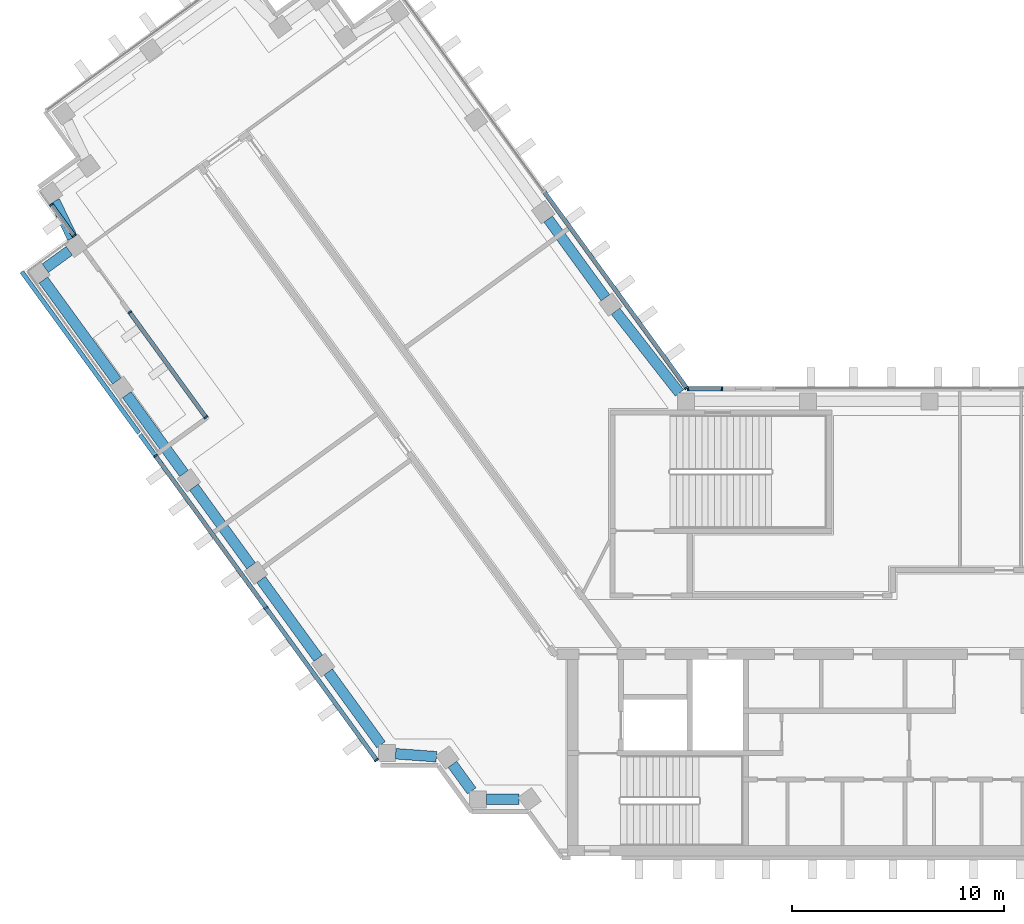
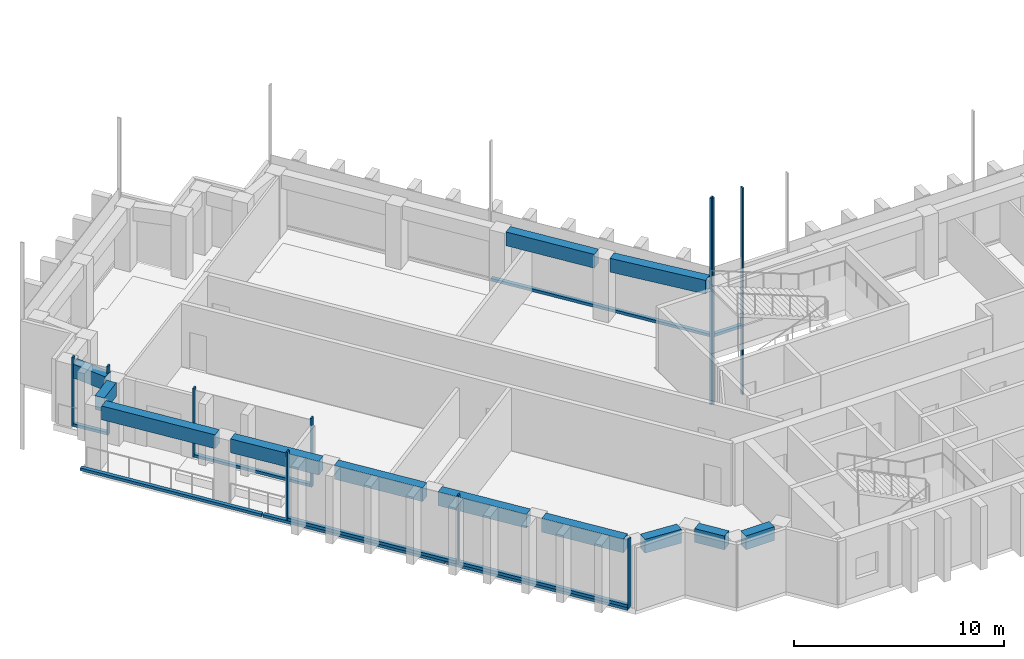
"""IFC4 building model written with IfcOpenShell, lengths in metres."""

from ifc_helpers import new_model, si_unit, direction, frame, origin, origin_2d, place, context, subcontext, project, spatial, rectangle, extrude, material, material_profile, profile_set, type_object, element, aggregate, save


model = new_model("IFC4")

# Units and contexts
model_context = context("Model", 3, precision=1e-05, world=origin(), true_north=direction((0.0, 1.0)))
body_context = subcontext(model_context, "Body", "Model", "MODEL_VIEW")
ifc_project = project(units=[si_unit("LENGTHUNIT", "METRE"), si_unit("AREAUNIT", "SQUARE_METRE"), si_unit("VOLUMEUNIT", "CUBIC_METRE"), si_unit("PLANEANGLEUNIT", "RADIAN"), si_unit("MASSUNIT", "GRAM", prefix="KILO")], contexts=[model_context])

# Site, building, storey
site_placement = place(None, origin())
site = spatial("IfcSite", under=ifc_project, at=site_placement, CompositionType="ELEMENT")
building_placement = place(site_placement, origin())
building = spatial("IfcBuilding", under=site, at=building_placement, Name="Quipu Civic Tower", CompositionType="ELEMENT")
storey_1_placement = place(building_placement, frame((0.0, 0.0, 148.0)))
storey_1 = spatial("IfcBuildingStorey", under=building, at=storey_1_placement, Name="L34", CompositionType="ELEMENT", Elevation=148.0)

# Curtain wall, members
ifc_material_1 = material(Name="Insulated glass unit", Category="glass")
curtain_wall_type = type_object("IfcCurtainWallType", Name="Office curtain wall CW1", PredefinedType="NOTDEFINED", material=ifc_material_1)
curtain_wall_1_placement = place(storey_1_placement, origin())
curtain_wall_1 = element("IfcCurtainWall", 1, at=curtain_wall_1_placement, inside=storey_1, type_object=curtain_wall_type, Name="Office curtain wall CW1 L34 run 2", PredefinedType="NOTDEFINED")
ifc_material_2 = material(Name="Anodised aluminium", Category="aluminium")
ifc_material_profile_1 = material_profile(ifc_material_2, rectangle(XDim=0.199951171875, YDim=0.080078125, at=origin_2d()), Name="RECT 200x80")
ifc_profile_set_1 = profile_set([ifc_material_profile_1], Name="Anodised aluminium")
member_type_1 = type_object("IfcMemberType", Name="Mullion CW1", PredefinedType="MULLION", material=ifc_profile_set_1)
member_1_placement = place(storey_1_placement, frame((-44.3994140625, 19.802490234375, 0.080078125), z_axis=(0.0, 0.0, 1.0), x_axis=(0.809033717749, 0.587762233854, 0.0)))
member_1 = element("IfcMember", 2, at=member_1_placement, type_object=member_type_1, Name="CW1 mullion 1", PredefinedType="MULLION", context=body_context, shape_type="SweptSolid", body=[
    extrude(rectangle(XDim=0.199951171875, YDim=0.080078125, at=origin_2d()), origin(), (0.0, 0.0, 1.0), 4.0),
])
member_2_placement = place(storey_1_placement, frame((-43.328125, 18.327880859375, 0.080078125), z_axis=(0.0, 0.0, 1.0), x_axis=(0.809033717749, 0.587762233854, 0.0)))
member_2 = element("IfcMember", 3, at=member_2_placement, type_object=member_type_1, Name="CW1 mullion 2", PredefinedType="MULLION", context=body_context, shape_type="SweptSolid", body=[
    extrude(rectangle(XDim=0.199951171875, YDim=0.080078125, at=origin_2d()), origin(), (0.0, 0.0, 1.0), 4.0),
])

curtain_wall_2_placement = place(storey_1_placement, origin())
curtain_wall_2 = element("IfcCurtainWall", 4, at=curtain_wall_2_placement, inside=storey_1, type_object=curtain_wall_type, Name="Office curtain wall CW1 L34 run 5", PredefinedType="NOTDEFINED")
member_3_placement = place(storey_1_placement, frame((-40.695556640625, 14.704345703125, 0.080078125), z_axis=(0.0, 0.0, 1.0), x_axis=(0.809013564951, 0.587789972461, 0.0)))
member_3 = element("IfcMember", 5, at=member_3_placement, type_object=member_type_1, Name="CW1 mullion 1", PredefinedType="MULLION", context=body_context, shape_type="SweptSolid", body=[
    extrude(rectangle(XDim=0.199951171875, YDim=0.080078125, at=origin_2d()), origin(), (0.0, 0.0, 1.0), 4.0),
])
member_4_placement = place(storey_1_placement, frame((-37.097900390625, 9.752685546875, 0.080078125), z_axis=(0.0, 0.0, 1.0), x_axis=(0.809013564951, 0.587789972461, 0.0)))
member_4 = element("IfcMember", 6, at=member_4_placement, type_object=member_type_1, Name="CW1 mullion 2", PredefinedType="MULLION", context=body_context, shape_type="SweptSolid", body=[
    extrude(rectangle(XDim=0.199951171875, YDim=0.080078125, at=origin_2d()), origin(), (0.0, 0.0, 1.0), 4.0),
])

curtain_wall_3_placement = place(storey_1_placement, origin())
curtain_wall_3 = element("IfcCurtainWall", 7, at=curtain_wall_3_placement, inside=storey_1, type_object=curtain_wall_type, Name="Office curtain wall CW1 L34 run 7", PredefinedType="NOTDEFINED")
member_5_placement = place(storey_1_placement, frame((-39.47802734375, 7.924560546875, 0.080078125), z_axis=(0.0, 0.0, 1.0), x_axis=(0.809015947916, 0.587786692617, 0.0)))
member_5 = element("IfcMember", 8, at=member_5_placement, type_object=member_type_1, Name="CW1 mullion 1", PredefinedType="MULLION", context=body_context, shape_type="SweptSolid", body=[
    extrude(rectangle(XDim=0.199951171875, YDim=0.080078125, at=origin_2d()), origin(), (0.0, 0.0, 1.0), 4.0),
])
member_6_placement = place(storey_1_placement, frame((-34.253662109375, 0.734130859375, 0.080078125), z_axis=(0.0, 0.0, 1.0), x_axis=(0.809015947916, 0.587786692617, 0.0)))
member_6 = element("IfcMember", 9, at=member_6_placement, type_object=member_type_1, Name="CW1 mullion 2", PredefinedType="MULLION", context=body_context, shape_type="SweptSolid", body=[
    extrude(rectangle(XDim=0.199951171875, YDim=0.080078125, at=origin_2d()), origin(), (0.0, 0.0, 1.0), 4.0),
])
member_7_placement = place(storey_1_placement, frame((-29.029296875, -6.45654296875, 0.080078125), z_axis=(0.0, 0.0, 1.0), x_axis=(0.809015947916, 0.587786692617, 0.0)))
member_7 = element("IfcMember", 10, at=member_7_placement, type_object=member_type_1, Name="CW1 mullion 3", PredefinedType="MULLION", context=body_context, shape_type="SweptSolid", body=[
    extrude(rectangle(XDim=0.199951171875, YDim=0.080078125, at=origin_2d()), origin(), (0.0, 0.0, 1.0), 4.0),
])

curtain_wall_4_placement = place(storey_1_placement, origin())
curtain_wall_4 = element("IfcCurtainWall", 11, at=curtain_wall_4_placement, inside=storey_1, type_object=curtain_wall_type, Name="Office curtain wall CW1 L33 run 31", PredefinedType="NOTDEFINED")
member_8_placement = place(storey_1_placement, frame((-12.695068359375, 11.10009765625, -3.919921875), z_axis=(0.0, 0.0, 1.0), x_axis=(0.0, -1.0, 0.0)))
member_8 = element("IfcMember", 12, at=member_8_placement, type_object=member_type_1, Name="CW1 mullion 1", PredefinedType="MULLION", context=body_context, shape_type="SweptSolid", body=[
    extrude(rectangle(XDim=0.199951171875, YDim=0.080078125, at=origin_2d()), origin(), (0.0, 0.0, 1.0), 12.0),
])
member_9_placement = place(storey_1_placement, frame((-14.30419921875, 11.10009765625, -3.919921875), z_axis=(0.0, 0.0, 1.0), x_axis=(0.0, -1.0, 0.0)))
member_9 = element("IfcMember", 13, at=member_9_placement, type_object=member_type_1, Name="CW1 mullion 2", PredefinedType="MULLION", context=body_context, shape_type="SweptSolid", body=[
    extrude(rectangle(XDim=0.199951171875, YDim=0.080078125, at=origin_2d()), origin(), (0.0, 0.0, 1.0), 12.0),
])

# Curtain wall, member
curtain_wall_5_placement = place(storey_1_placement, origin())
curtain_wall_5 = element("IfcCurtainWall", 14, at=curtain_wall_5_placement, inside=storey_1, type_object=curtain_wall_type, Name="Office curtain wall CW1 L33 run 32", PredefinedType="NOTDEFINED")
member_10_placement = place(storey_1_placement, frame((-14.36767578125, 11.13232421875, -3.919921875), z_axis=(0.0, 0.0, 1.0), x_axis=(-0.809014469803, -0.587788727052, 0.0)))
member_10 = element("IfcMember", 15, at=member_10_placement, type_object=member_type_1, Name="CW1 mullion 1", PredefinedType="MULLION", context=body_context, shape_type="SweptSolid", body=[
    extrude(rectangle(XDim=0.199951171875, YDim=0.080078125, at=origin_2d()), origin(), (0.0, 0.0, 1.0), 12.0),
])

# Beams
ifc_material_3 = material(Name="Concrete C50/60", Category="concrete")
ifc_material_profile_2 = material_profile(ifc_material_3, rectangle(XDim=0.5, YDim=0.800048828125, at=origin_2d()), Name="RC500x800")
ifc_profile_set_2 = profile_set([ifc_material_profile_2], Name="Concrete C50/60")
beam_type = type_object("IfcBeamType", Name="Spandrel beam RC 500x800 C50/60", PredefinedType="SPANDREL", material=ifc_profile_set_2)
beam_1_placement = place(storey_1_placement, frame((-18.208740234375, 15.398681640625, 3.25), z_axis=(-0.58776136044, 0.809034352283, 0.0), x_axis=(-0.809034352283, -0.58776136044, 0.0)))
element("IfcBeam", 16, at=beam_1_placement, inside=storey_1, type_object=beam_type, Name="Spandrel beam L34 W-IN-01 to W-IN-02", PredefinedType="SPANDREL", context=body_context, shape_type="SweptSolid", body=[
    extrude(rectangle(XDim=0.5, YDim=0.800048828125, at=origin_2d()), origin(), (0.0, 0.0, 1.0), 4.599853515625),
])
beam_2_placement = place(storey_1_placement, frame((-44.23974609375, 19.9677734375, 3.25), z_axis=(0.430785642718, -0.902454281406, 0.0), x_axis=(0.902454281406, 0.430785642718, 0.0)))
element("IfcBeam", 17, at=beam_2_placement, inside=storey_1, type_object=beam_type, Name="Spandrel beam L34 T-Wo.2-W34 to T-Wo.3-W34", PredefinedType="SPANDREL", context=body_context, shape_type="SweptSolid", body=[
    extrude(rectangle(XDim=0.5, YDim=0.800048828125, at=origin_2d()), origin(), (0.0, 0.0, 1.0), 1.934814453125),
])
beam_3_placement = place(storey_1_placement, frame((-43.554443359375, 17.619140625, 3.25), z_axis=(-0.808600329101, -0.588358315805, 0.0), x_axis=(0.588358315805, -0.808600329101, 0.0)))
element("IfcBeam", 18, at=beam_3_placement, inside=storey_1, type_object=beam_type, Name="Spandrel beam L34 T-Wo.3-W34 to T-Wo.4-W34", PredefinedType="SPANDREL", context=body_context, shape_type="SweptSolid", body=[
    extrude(rectangle(XDim=0.5, YDim=0.800048828125, at=origin_2d()), origin(), (0.0, 0.0, 1.0), 1.400146484375),
])
beam_4_placement = place(storey_1_placement, frame((-44.77490234375, 16.236328125, 3.25), z_axis=(0.58780026889, -0.809006083965, 0.0), x_axis=(0.809006083965, 0.58780026889, 0.0)))
element("IfcBeam", 19, at=beam_4_placement, inside=storey_1, type_object=beam_type, Name="Spandrel beam L34 T-Wo.4-W34 to W-OUT-04", PredefinedType="SPANDREL", context=body_context, shape_type="SweptSolid", body=[
    extrude(rectangle(XDim=0.5, YDim=0.800048828125, at=origin_2d()), origin(), (0.0, 0.0, 1.0), 5.902587890625),
])
beam_5_placement = place(storey_1_placement, frame((-40.835205078125, 10.81396484375, 3.25), z_axis=(0.587770861189, -0.809027449928, 0.0), x_axis=(0.809027449928, 0.587770861189, 0.0)))
element("IfcBeam", 20, at=beam_5_placement, inside=storey_1, type_object=beam_type, Name="Spandrel beam L34 W-OUT-04 to W-OUT-03", PredefinedType="SPANDREL", context=body_context, shape_type="SweptSolid", body=[
    extrude(rectangle(XDim=0.5, YDim=0.800048828125, at=origin_2d()), origin(), (0.0, 0.0, 1.0), 4.60009765625),
])
beam_6_placement = place(storey_1_placement, frame((-37.6611328125, 6.445068359375, 3.25), z_axis=(0.58776136044, -0.809034352283, 0.0), x_axis=(0.809034352283, 0.58776136044, 0.0)))
element("IfcBeam", 21, at=beam_6_placement, inside=storey_1, type_object=beam_type, Name="Spandrel beam L34 W-OUT-03 to W-OUT-02", PredefinedType="SPANDREL", context=body_context, shape_type="SweptSolid", body=[
    extrude(rectangle(XDim=0.5, YDim=0.800048828125, at=origin_2d()), origin(), (0.0, 0.0, 1.0), 4.599853515625),
])
beam_7_placement = place(storey_1_placement, frame((-34.4873046875, 2.076416015625, 3.25), z_axis=(0.587796098864, -0.809009113768, 0.0), x_axis=(0.809009113768, 0.587796098864, 0.0)))
element("IfcBeam", 22, at=beam_7_placement, inside=storey_1, type_object=beam_type, Name="Spandrel beam L34 W-OUT-02 to W-OUT-01", PredefinedType="SPANDREL", context=body_context, shape_type="SweptSolid", body=[
    extrude(rectangle(XDim=0.5, YDim=0.800048828125, at=origin_2d()), origin(), (0.0, 0.0, 1.0), 4.60009765625),
])
beam_8_placement = place(storey_1_placement, frame((-31.313232421875, -2.292236328125, 3.25), z_axis=(0.58776850526, -0.809029161541, 0.0), x_axis=(0.809029161541, 0.58776850526, 0.0)))
element("IfcBeam", 23, at=beam_8_placement, inside=storey_1, type_object=beam_type, Name="Spandrel beam L34 W-OUT-01 to J-Wo.0", PredefinedType="SPANDREL", context=body_context, shape_type="SweptSolid", body=[
    extrude(rectangle(XDim=0.5, YDim=0.800048828125, at=origin_2d()), origin(), (0.0, 0.0, 1.0), 4.249267578125),
])
beam_9_placement = place(storey_1_placement, frame((-28.125, -6.158935546875, 3.25), z_axis=(0.997370796499, -0.072467194581, 0.0), x_axis=(0.072467194581, 0.997370796499, 0.0)))
element("IfcBeam", 24, at=beam_9_placement, inside=storey_1, type_object=beam_type, Name="Spandrel beam L34 J-Wo.0 to J-Wo.1", PredefinedType="SPANDREL", context=body_context, shape_type="SweptSolid", body=[
    extrude(rectangle(XDim=0.5, YDim=0.800048828125, at=origin_2d()), origin(), (0.0, 0.0, 1.0), 1.933837890625),
])
beam_10_placement = place(storey_1_placement, frame((-25.43896484375, -6.660400390625, 3.25), z_axis=(0.588330737135, -0.808620395329, 0.0), x_axis=(0.808620395329, 0.588330737135, 0.0)))
element("IfcBeam", 25, at=beam_10_placement, inside=storey_1, type_object=beam_type, Name="Spandrel beam L34 J-Wo.1 to J-Wo.2", PredefinedType="SPANDREL", context=body_context, shape_type="SweptSolid", body=[
    extrude(rectangle(XDim=0.5, YDim=0.800048828125, at=origin_2d()), origin(), (0.0, 0.0, 1.0), 1.551513671875),
])
beam_11_placement = place(storey_1_placement, frame((-23.8349609375, -8.31494140625, 3.25), z_axis=(1.0, 0.0, 0.0), x_axis=(0.0, 1.0, 0.0)))
element("IfcBeam", 26, at=beam_11_placement, inside=storey_1, type_object=beam_type, Name="Spandrel beam L34 J-Wo.2 to J-Wo.3", PredefinedType="SPANDREL", context=body_context, shape_type="SweptSolid", body=[
    extrude(rectangle(XDim=0.5, YDim=0.800048828125, at=origin_2d()), origin(), (0.0, 0.0, 1.0), 1.548828125),
])
beam_12_placement = place(storey_1_placement, frame((-14.7080078125, 10.89990234375, 3.25), z_axis=(-0.616090612932, 0.787675286306, 0.0), x_axis=(-0.787675286306, -0.616090612932, 0.0)))
element("IfcBeam", 27, at=beam_12_placement, inside=storey_1, type_object=beam_type, Name="Spandrel beam L34 J-Wi.0 to W-IN-01", PredefinedType="SPANDREL", context=body_context, shape_type="SweptSolid", body=[
    extrude(rectangle(XDim=0.5, YDim=0.800048828125, at=origin_2d()), origin(), (0.0, 0.0, 1.0), 4.900390625),
])

# Storey
storey_2_placement = place(building_placement, frame((0.0, 0.0, 144.0)))
storey_2 = spatial("IfcBuildingStorey", under=building, at=storey_2_placement, Name="L33", CompositionType="ELEMENT", Elevation=144.0)

# Curtain wall, members
curtain_wall_6_placement = place(storey_2_placement, origin())
curtain_wall_6 = element("IfcCurtainWall", 28, at=curtain_wall_6_placement, inside=storey_2, type_object=curtain_wall_type, Name="Office curtain wall CW1 L33 run 4", PredefinedType="NOTDEFINED")
ifc_material_4 = material(Name="Anodised aluminium", Category="aluminium")
ifc_material_profile_3 = material_profile(ifc_material_4, rectangle(XDim=0.199951171875, YDim=0.159912109375, at=origin_2d()), Name="RECT 200x160")
ifc_profile_set_3 = profile_set([ifc_material_profile_3], Name="Anodised aluminium")
member_type_2 = type_object("IfcMemberType", Name="Transom CW1", PredefinedType="USERDEFINED", material=ifc_profile_set_3)
member_11_placement = place(storey_1_placement, frame((-45.802490234375, 16.629638671875, 0.0), z_axis=(0.587783783239, -0.809018061703, 0.0), x_axis=(0.809018061703, 0.587783783239, 0.0)))
member_11 = element("IfcMember", 29, at=member_11_placement, inside=storey_1, type_object=member_type_2, Name="CW1 transom 1.2", ObjectType="TRANSOM", PredefinedType="USERDEFINED", context=body_context, shape_type="SweptSolid", body=[
    extrude(rectangle(XDim=0.199951171875, YDim=0.159912109375, at=origin_2d()), origin(), (0.0, 0.0, 1.0), 9.431884765625),
])
member_12_placement = place(storey_1_placement, frame((-40.21142578125, 8.934326171875, 0.0), z_axis=(0.587773158676, -0.809025780763, 0.0), x_axis=(0.809025780763, 0.587773158676, 0.0)))
member_12 = element("IfcMember", 30, at=member_12_placement, inside=storey_1, type_object=member_type_2, Name="CW1 transom 2.2", ObjectType="TRANSOM", PredefinedType="USERDEFINED", context=body_context, shape_type="SweptSolid", body=[
    extrude(rectangle(XDim=0.199951171875, YDim=0.159912109375, at=origin_2d()), origin(), (0.0, 0.0, 1.0), 9.471923828125),
])
member_13_placement = place(storey_1_placement, frame((-34.596923828125, 1.20654296875, 0.0), z_axis=(0.587783783239, -0.809018061703, 0.0), x_axis=(0.809018061703, 0.587783783239, 0.0)))
member_13 = element("IfcMember", 31, at=member_13_placement, inside=storey_1, type_object=member_type_2, Name="CW1 transom 3.2", ObjectType="TRANSOM", PredefinedType="USERDEFINED", context=body_context, shape_type="SweptSolid", body=[
    extrude(rectangle(XDim=0.199951171875, YDim=0.159912109375, at=origin_2d()), origin(), (0.0, 0.0, 1.0), 9.431884765625),
])
aggregate(curtain_wall_6, [member_11, member_12, member_13])

# Member
member_14_placement = place(storey_1_placement, frame((-44.3759765625, 19.77001953125, 0.159912109375), z_axis=(0.587713443149, -0.809069161903, 0.0), x_axis=(0.809069161903, 0.587713443149, 0.0)))
member_14 = element("IfcMember", 32, at=member_14_placement, type_object=member_type_2, Name="CW1 transom 1.1", ObjectType="TRANSOM", PredefinedType="USERDEFINED", context=body_context, shape_type="SweptSolid", body=[
    extrude(rectangle(XDim=0.199951171875, YDim=0.159912109375, at=origin_2d()), origin(), (0.0, 0.0, 1.0), 1.74267578125),
])

aggregate(curtain_wall_1, [member_1, member_2, member_14])

member_15_placement = place(storey_1_placement, frame((-40.671875, 14.671875, 0.159912109375), z_axis=(0.587779914498, -0.809020872482, 0.0), x_axis=(0.809020872482, 0.587779914498, 0.0)))
member_15 = element("IfcMember", 33, at=member_15_placement, type_object=member_type_2, Name="CW1 transom 1.1", ObjectType="TRANSOM", PredefinedType="USERDEFINED", context=body_context, shape_type="SweptSolid", body=[
    extrude(rectangle(XDim=0.199951171875, YDim=0.159912109375, at=origin_2d()), origin(), (0.0, 0.0, 1.0), 6.04052734375),
])

aggregate(curtain_wall_2, [member_3, member_4, member_15])

member_16_placement = place(storey_1_placement, frame((-39.45458984375, 7.892333984375, 0.159912109375), z_axis=(0.587797528178, -0.80900807528, 0.0), x_axis=(0.80900807528, 0.587797528178, 0.0)))
member_16 = element("IfcMember", 34, at=member_16_placement, type_object=member_type_2, Name="CW1 transom 1.1", ObjectType="TRANSOM", PredefinedType="USERDEFINED", context=body_context, shape_type="SweptSolid", body=[
    extrude(rectangle(XDim=0.199951171875, YDim=0.159912109375, at=origin_2d()), origin(), (0.0, 0.0, 1.0), 8.808349609375),
])

member_17_placement = place(storey_1_placement, frame((-34.230224609375, 0.70166015625, 0.159912109375), z_axis=(0.587792567683, -0.809011679382, 0.0), x_axis=(0.809011679382, 0.587792567683, 0.0)))
member_17 = element("IfcMember", 35, at=member_17_placement, type_object=member_type_2, Name="CW1 transom 2.1", ObjectType="TRANSOM", PredefinedType="USERDEFINED", context=body_context, shape_type="SweptSolid", body=[
    extrude(rectangle(XDim=0.199951171875, YDim=0.159912109375, at=origin_2d()), origin(), (0.0, 0.0, 1.0), 8.807861328125),
])

aggregate(curtain_wall_3, [member_5, member_6, member_7, member_16, member_17])

member_18_placement = place(storey_1_placement, frame((-12.735107421875, 11.10009765625, 0.080078125), z_axis=(-1.0, 0.0, 0.0), x_axis=(0.0, -1.0, 0.0)))
member_18 = element("IfcMember", 36, at=member_18_placement, type_object=member_type_2, Name="CW1 transom 1.2", ObjectType="TRANSOM", PredefinedType="USERDEFINED", context=body_context, shape_type="SweptSolid", body=[
    extrude(rectangle(XDim=0.199951171875, YDim=0.159912109375, at=origin_2d()), origin(), (0.0, 0.0, 1.0), 1.529052734375),
])

aggregate(curtain_wall_4, [member_8, member_9, member_18])

member_19_placement = place(storey_1_placement, frame((-14.39111328125, 11.164794921875, 0.080078125), z_axis=(-0.587799878401, 0.809006367683, 0.0), x_axis=(-0.809006367683, -0.587799878401, 0.0)))
member_19 = element("IfcMember", 37, at=member_19_placement, type_object=member_type_2, Name="CW1 transom 1.2", ObjectType="TRANSOM", PredefinedType="USERDEFINED", context=body_context, shape_type="SweptSolid", body=[
    extrude(rectangle(XDim=0.199951171875, YDim=0.159912109375, at=origin_2d()), origin(), (0.0, 0.0, 1.0), 11.402099609375),
])

aggregate(curtain_wall_5, [member_10, member_19])

save(model, "model.ifc")
